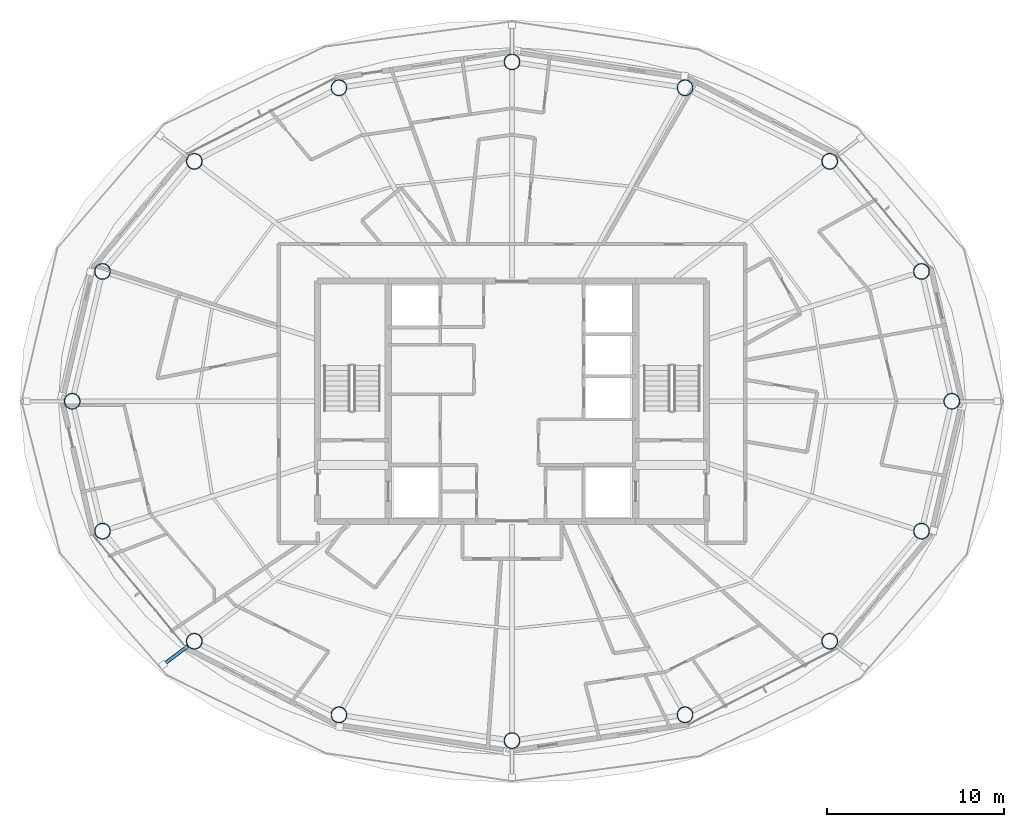
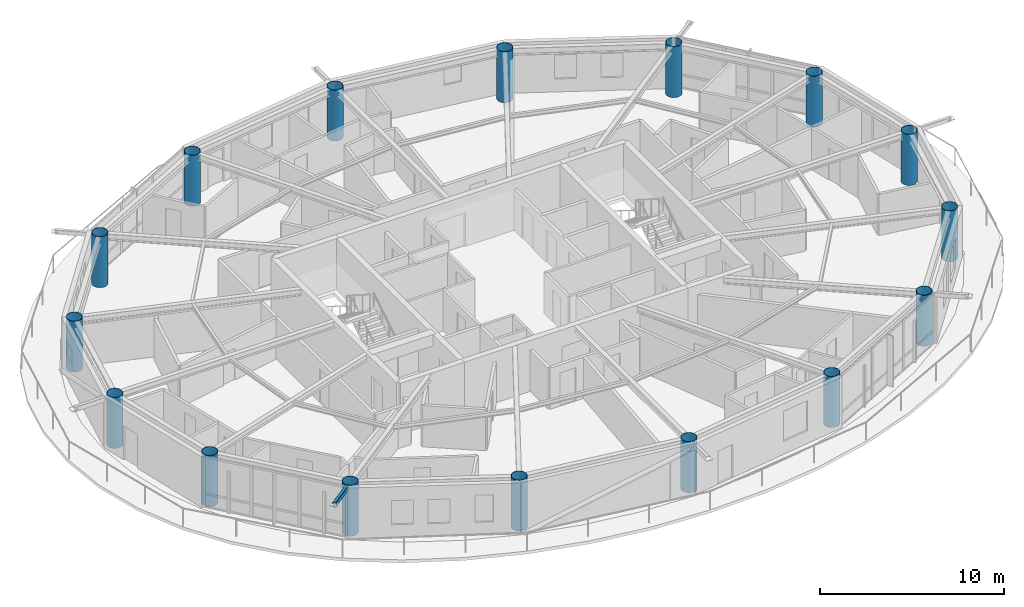
# One storey, part 1 of 22: 16 columns, 1 member.
"""IFC4 building model written with IfcOpenShell, lengths in metres."""

from ifc_helpers import new_model, si_unit, direction, frame, origin, origin_2d, place, context, subcontext, project, spatial, hollow_rectangle, hollow_circle, extrude, material, material_profile, profile_set, type_object, element, save


model = new_model("IFC4")

# Units and contexts
model_context = context("Model", 3, precision=1e-05, world=origin(), true_north=direction((0.0, 1.0)))
body_context = subcontext(model_context, "Body", "Model", "MODEL_VIEW")
ifc_project = project(units=[si_unit("LENGTHUNIT", "METRE"), si_unit("AREAUNIT", "SQUARE_METRE"), si_unit("VOLUMEUNIT", "CUBIC_METRE"), si_unit("PLANEANGLEUNIT", "RADIAN"), si_unit("MASSUNIT", "GRAM", prefix="KILO")], contexts=[model_context])

# Site, building, storey
site_placement = place(None, origin())
site = spatial("IfcSite", under=ifc_project, at=site_placement, CompositionType="ELEMENT")
building_placement = place(site_placement, origin())
building = spatial("IfcBuilding", under=site, at=building_placement, Name="Sarneth Arch Tower", CompositionType="ELEMENT")
storey_placement = place(building_placement, frame((0.0, 0.0, 294.60009765625)))
storey = spatial("IfcBuildingStorey", under=building, at=storey_placement, Name="L76", CompositionType="ELEMENT", Elevation=294.60009765625)

# Columns
ifc_material_1 = material(Name="Steel S355", Category="steel")
ifc_material_profile_1 = material_profile(ifc_material_1, hollow_circle(Radius=0.449951171875, WallThickness=0.02490234375, at=origin_2d()), Name="CHS900x25")
ifc_profile_set_1 = profile_set([ifc_material_profile_1], Name="Steel S355")
column_type = type_object("IfcColumnType", Name="COL-MEGA-900", PredefinedType="COLUMN", material=ifc_profile_set_1)
for number, where, z_axis, x_axis, name in (
    (1, (72.88330078125, 42.0, 0.0), (0.0, 0.0, 1.0), (1.0, 0.0, 0.0), "L76 Perimeter mega-column M01"),
    (2, (71.1689453125, 49.347412109375, 0.0), (0.0, 0.0, 1.0), (1.0, 0.0, 0.0), "L76 Perimeter mega-column M02"),
    (3, (65.975341796875, 55.576416015625, 0.0), (0.0, 0.0, 1.0), (1.0, 0.0, 0.0), "L76 Perimeter mega-column M03"),
    (4, (57.790771484375, 59.738525390625, 0.0), (0.0, 0.0, 1.0), (1.0, 0.0, 0.0), "L76 Perimeter mega-column M04"),
    (5, (48.0, 61.199951171875, 0.0), (0.0, 0.0, 1.0), (1.0, 0.0, 0.0), "L76 Perimeter mega-column M05"),
    (6, (38.209228515625, 59.738525390625, 0.0), (0.0, 0.0, 1.0), (1.0, 0.0, 0.0), "L76 Perimeter mega-column M06"),
    (7, (30.024658203125, 55.576416015625, 0.0), (0.0, 0.0, 1.0), (1.0, 0.0, 0.0), "L76 Perimeter mega-column M07"),
    (8, (24.8310546875, 49.347412109375, 0.0), (0.0, 0.0, 1.0), (1.0, 0.0, 0.0), "L76 Perimeter mega-column M08"),
    (9, (23.11669921875, 42.0, 0.0), (0.0, 0.0, 1.0), (1.0, 0.0, 0.0), "L76 Perimeter mega-column M09"),
    (10, (24.8310546875, 34.652587890625, 0.0), (0.0, 0.0, 1.0), (1.0, 0.0, 0.0), "L76 Perimeter mega-column M10"),
    (11, (30.024658203125, 28.423583984375, 0.0), (0.0, 0.0, 1.0), (1.0, 0.0, 0.0), "L76 Perimeter mega-column M11"),
    (12, (38.209228515625, 24.261474609375, 0.0), (0.0, 0.0, 1.0), (1.0, 0.0, 0.0), "L76 Perimeter mega-column M12"),
    (13, (48.0, 22.800048828125, 0.0), (0.0, 0.0, 1.0), (1.0, 0.0, 0.0), "L76 Perimeter mega-column M13"),
    (14, (57.790771484375, 24.261474609375, 0.0), (0.0, 0.0, 1.0), (1.0, 0.0, 0.0), "L76 Perimeter mega-column M14"),
    (15, (65.975341796875, 28.423583984375, 0.0), (0.0, 0.0, 1.0), (1.0, 0.0, 0.0), "L76 Perimeter mega-column M15"),
    (16, (71.1689453125, 34.652587890625, 0.0), (0.0, 0.0, 1.0), (1.0, 0.0, 0.0), "L76 Perimeter mega-column M16"),
):
    element("IfcColumn", number, at=place(storey_placement, frame(where, z_axis=z_axis, x_axis=x_axis)), inside=storey, type_object=column_type, Name=name, PredefinedType="COLUMN", context=body_context, shape_type="SweptSolid", body=[
        extrude(hollow_circle(Radius=0.449951171875, WallThickness=0.02490234375, at=origin_2d()), origin(), (0.0, 0.0, 1.0), 3.369873046875),
    ])

# Member
ifc_material_2 = material(Name="Steel S355", Category="steel")
ifc_material_profile_2 = material_profile(ifc_material_2, hollow_rectangle(XDim=0.199951171875, YDim=0.300048828125, WallThickness=0.012451171875, InnerFilletRadius=0.018798828125, OuterFilletRadius=0.03125, at=origin_2d()), Name="RHS300x200x12.5")
ifc_profile_set_2 = profile_set([ifc_material_profile_2], Name="Steel S355")
member_type = type_object("IfcMemberType", Name="MEM-CANT-STRUT", PredefinedType="STRUT", material=ifc_profile_set_2)
member_placement = place(storey_placement, frame((29.665771484375, 28.15234375, 3.2099609375), z_axis=(-0.797951672518, -0.602721435098, 0.0), x_axis=(0.602721435098, -0.797951672518, 0.0)))
element("IfcMember", 17, at=member_placement, inside=storey, type_object=member_type, Name="L76 Balcony cantilever bracket 11", PredefinedType="STRUT", context=body_context, shape_type="SweptSolid", body=[
    extrude(hollow_rectangle(XDim=0.199951171875, YDim=0.300048828125, WallThickness=0.012451171875, InnerFilletRadius=0.018798828125, OuterFilletRadius=0.03125, at=origin_2d()), origin(), (0.0, 0.0, 1.0), 1.76318359375),
])

save(model, "model.ifc")
